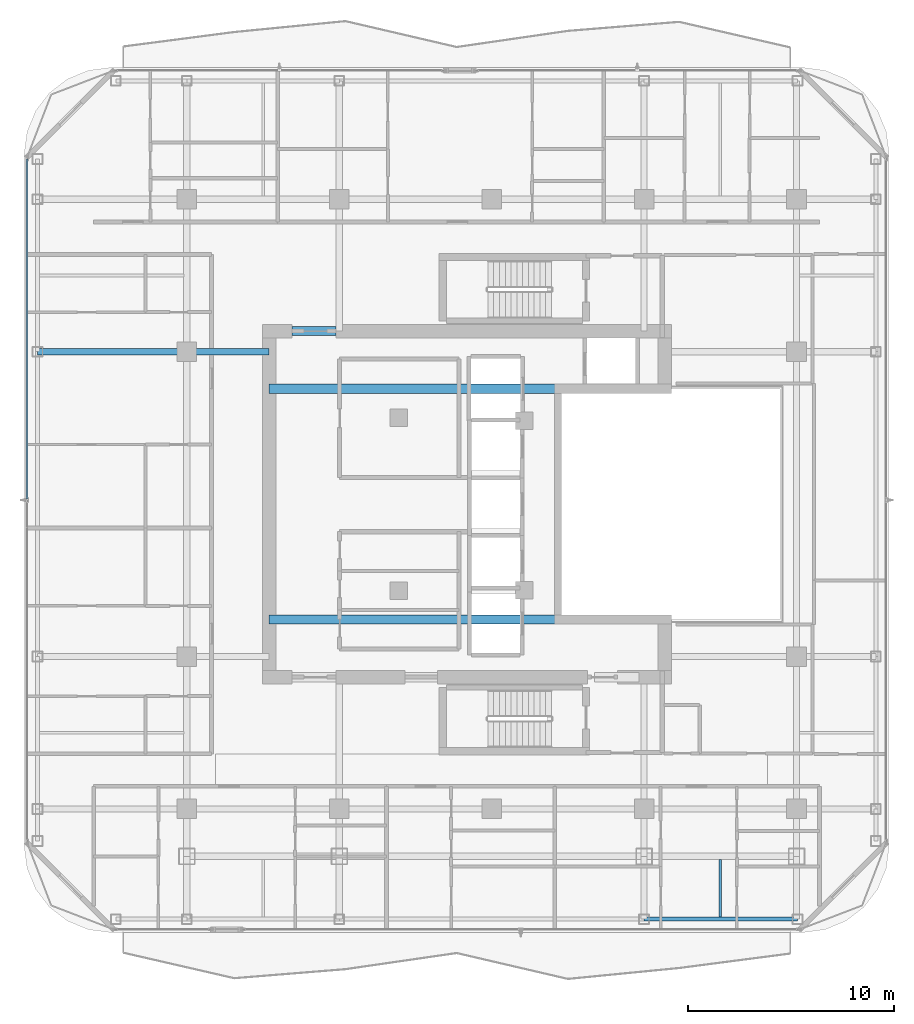
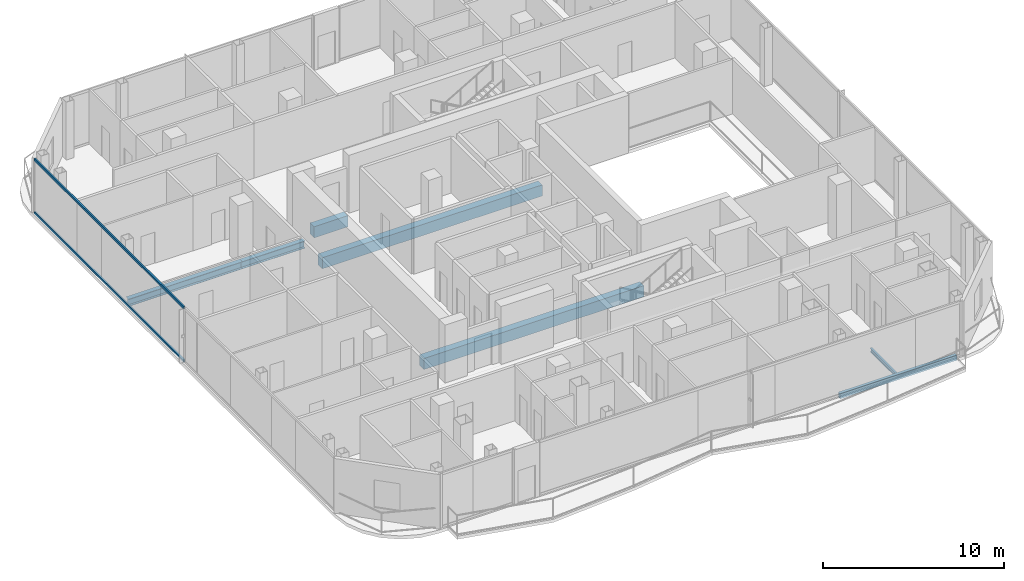
# One storey, part 7 of 26: 7 beams, 2 members, 1 element without a shape of its own.
"""IFC4 building model written with IfcOpenShell, lengths in metres."""

from ifc_helpers import new_model, si_unit, direction, frame, origin, origin_2d, place, context, subcontext, project, spatial, rectangle, hollow_rectangle, i_section, extrude, material, layer, layer_set, material_profile, profile_set, type_object, element, aggregate, save


model = new_model("IFC4")

# Units and contexts
model_context = context("Model", 3, precision=1e-05, world=origin(), true_north=direction((0.0, 1.0)))
body_context = subcontext(model_context, "Body", "Model", "MODEL_VIEW")
ifc_project = project(units=[si_unit("LENGTHUNIT", "METRE"), si_unit("AREAUNIT", "SQUARE_METRE"), si_unit("VOLUMEUNIT", "CUBIC_METRE"), si_unit("PLANEANGLEUNIT", "RADIAN"), si_unit("MASSUNIT", "GRAM", prefix="KILO")], contexts=[model_context])

# Site, building, storey
site_placement = place(None, origin())
site = spatial("IfcSite", under=ifc_project, at=site_placement, CompositionType="ELEMENT")
building_placement = place(site_placement, origin())
building = spatial("IfcBuilding", under=site, at=building_placement, Name="Khorvyn Point Tower", CompositionType="ELEMENT")
storey_placement = place(building_placement, frame((0.0, 0.0, 289.800048828125)))
storey = spatial("IfcBuildingStorey", under=building, at=storey_placement, Name="L71", CompositionType="ELEMENT", Elevation=289.800048828125)

# Curtain wall, members
ifc_material_1 = material(Name="Anodised aluminium 6063-T6 and laminated Low-E glass", Category="aluminium")
ifc_layer = layer(ifc_material_1, 0.18994140625)
ifc_layer_set = layer_set([ifc_layer], Name="Stick-Built High-Wind Curtain Wall CW-SYS-04")
curtain_wall_type = type_object("IfcCurtainWallType", Name="Stick-Built High-Wind Curtain Wall CW-SYS-04", PredefinedType="NOTDEFINED", material=ifc_layer_set)
curtain_wall_placement = place(storey_placement, origin())
curtain_wall = element("IfcCurtainWall", 1, at=curtain_wall_placement, inside=storey, type_object=curtain_wall_type, Name="Curtain Wall", PredefinedType="NOTDEFINED")
ifc_material_2 = material(Name="Anodised aluminium 6063-T6", Category="aluminium")
ifc_material_profile_1 = material_profile(ifc_material_2, hollow_rectangle(XDim=0.10009765625, YDim=0.159912109375, WallThickness=0.00439453125, at=origin_2d()))
ifc_profile_set_1 = profile_set([ifc_material_profile_1], Name="Anodised aluminium 6063-T6 ALU-TRN-100x160")
member_type = type_object("IfcMemberType", Name="Anodised Aluminium 6063-T6 Transom ALU-TRN-100x160", PredefinedType="USERDEFINED", material=ifc_profile_set_1)
member_1_placement = place(storey_placement, frame((-22.550048828125, 0.25, 0.050048828125), z_axis=(0.0, 1.0, 0.0), x_axis=(-1.0, 0.0, 0.0)))
member_1 = element("IfcMember", 2, at=member_1_placement, type_object=member_type, Name="Transom", ObjectType="TRANSOM", PredefinedType="USERDEFINED", context=body_context, shape_type="SweptSolid", body=[
    extrude(hollow_rectangle(XDim=0.10009765625, YDim=0.159912109375, WallThickness=0.00439453125, at=origin_2d()), origin(), (0.0, 0.0, 1.0), 16.5),
])
member_2_placement = place(storey_placement, frame((-22.550048828125, 0.25, 3.6298828125), z_axis=(0.0, 1.0, 0.0), x_axis=(-1.0, 0.0, 0.0)))
member_2 = element("IfcMember", 3, at=member_2_placement, type_object=member_type, Name="Transom", ObjectType="TRANSOM", PredefinedType="USERDEFINED", context=body_context, shape_type="SweptSolid", body=[
    extrude(hollow_rectangle(XDim=0.10009765625, YDim=0.159912109375, WallThickness=0.00439453125, at=origin_2d()), origin(), (0.0, 0.0, 1.0), 16.5),
])
aggregate(curtain_wall, [member_1, member_2])

# Beams
ifc_material_3 = material(Name="Concrete C40/50", Category="concrete")
ifc_material_profile_2 = material_profile(ifc_material_3, rectangle(XDim=0.449951171875, YDim=0.75, at=origin_2d()))
ifc_profile_set_2 = profile_set([ifc_material_profile_2], Name="Concrete C40/50 RC450x750")
beam_type_1 = type_object("IfcBeamType", Name="Concrete C40/50 Beam RC450x750", PredefinedType="BEAM", material=ifc_profile_set_2)
for number, where, z_axis, x_axis, name in (
    (4, (-10.800048828125, -5.60009765625, -0.594970703125), (1.0, 0.0, 0.0), (0.0, 1.0, 0.0), "L71 Core Internal Tie Girder S"),
    (5, (-10.800048828125, 5.60009765625, -0.594970703125), (1.0, 0.0, 0.0), (0.0, 1.0, 0.0), "L71 Core Internal Tie Girder N"),
):
    element("IfcBeam", number, at=place(storey_placement, frame(where, z_axis=z_axis, x_axis=x_axis)), inside=storey, type_object=beam_type_1, Name=name, PredefinedType="BEAM", context=body_context, shape_type="SweptSolid", body=[
        extrude(rectangle(XDim=0.449951171875, YDim=0.75, at=origin_2d()), origin(), (0.0, 0.0, 1.0), 14.02001953125),
    ])
beam_1_placement = place(storey_placement, frame((-9.699951171875, 8.39990234375, -0.594970703125), z_axis=(1.0, 0.0, 0.0), x_axis=(0.0, 1.0, 0.0)))
element("IfcBeam", 6, at=beam_1_placement, inside=storey, type_object=beam_type_1, Name="L71 Core Northwest Portal Coupling Beam", PredefinedType="BEAM", context=body_context, shape_type="SweptSolid", body=[
    extrude(rectangle(XDim=0.449951171875, YDim=0.75, at=origin_2d()), origin(), (0.0, 0.0, 1.0), 2.14990234375),
])
ifc_material_4 = material(Name="Steel S355", Category="steel")
ifc_material_profile_3 = material_profile(ifc_material_4, i_section(OverallWidth=0.125, OverallDepth=0.25, WebThickness=0.006103515625, FlangeThickness=0.009033203125, at=origin_2d()))
ifc_profile_set_3 = profile_set([ifc_material_profile_3], Name="Steel S355 H250x125x6x9")
beam_type_2 = type_object("IfcBeamType", Name="Steel S355 Joist H250x125x6x9", PredefinedType="JOIST", material=ifc_profile_set_3)
beam_2_placement = place(storey_placement, frame((11.10009765625, -20.050048828125, -0.344970703125), z_axis=(0.0, 1.0, 0.0), x_axis=(-1.0, 0.0, 0.0)))
element("IfcBeam", 7, at=beam_2_placement, inside=storey, type_object=beam_type_2, Name="Beam", PredefinedType="JOIST", context=body_context, shape_type="SweptSolid", body=[
    extrude(i_section(OverallWidth=0.125, OverallDepth=0.25, WebThickness=0.006103515625, FlangeThickness=0.009033203125, at=origin_2d()), origin(), (0.0, 0.0, 1.0), 2.800048828125),
])
ifc_material_profile_4 = material_profile(ifc_material_4, i_section(OverallWidth=0.300048828125, OverallDepth=0.488037109375, WebThickness=0.010986328125, FlangeThickness=0.01806640625, at=origin_2d()))
ifc_profile_set_4 = profile_set([ifc_material_profile_4], Name="Steel S355 H488x300x11x18")
beam_type_3 = type_object("IfcBeamType", Name="Steel S355 Spandrel H488x300x11x18", PredefinedType="SPANDREL", material=ifc_profile_set_4)
beam_3_placement = place(storey_placement, frame((-22.050048828125, 7.39990234375, -0.464111328125), z_axis=(1.0, 0.0, 0.0), x_axis=(0.0, 1.0, 0.0)))
element("IfcBeam", 8, at=beam_3_placement, inside=storey, type_object=beam_type_3, Name="Beam", PredefinedType="SPANDREL", context=body_context, shape_type="SweptSolid", body=[
    extrude(i_section(OverallWidth=0.300048828125, OverallDepth=0.488037109375, WebThickness=0.010986328125, FlangeThickness=0.01806640625, at=origin_2d()), origin(), (0.0, 0.0, 1.0), 7.25),
])
beam_4_placement = place(storey_placement, frame((-14.800048828125, 7.39990234375, -0.464111328125), z_axis=(1.0, 0.0, 0.0), x_axis=(0.0, 1.0, 0.0)))
element("IfcBeam", 9, at=beam_4_placement, inside=storey, type_object=beam_type_3, Name="Beam", PredefinedType="SPANDREL", context=body_context, shape_type="SweptSolid", body=[
    extrude(i_section(OverallWidth=0.300048828125, OverallDepth=0.488037109375, WebThickness=0.010986328125, FlangeThickness=0.01806640625, at=origin_2d()), origin(), (0.0, 0.0, 1.0), 4.0),
])
ifc_material_profile_5 = material_profile(ifc_material_4, hollow_rectangle(XDim=0.199951171875, YDim=0.35009765625, WallThickness=0.013916015625, at=origin_2d()))
ifc_profile_set_5 = profile_set([ifc_material_profile_5], Name="Steel S355 RHS350x200x14")
beam_type_4 = type_object("IfcBeamType", Name="Steel S355 Spandrel RHS350x200x14", PredefinedType="SPANDREL", material=ifc_profile_set_5)
beam_5_placement = place(storey_placement, frame((7.39990234375, -20.14990234375, -0.39501953125), z_axis=(1.0, 0.0, 0.0), x_axis=(0.0, 1.0, 0.0)))
element("IfcBeam", 10, at=beam_5_placement, inside=storey, type_object=beam_type_4, Name="Beam", PredefinedType="SPANDREL", context=body_context, shape_type="SweptSolid", body=[
    extrude(hollow_rectangle(XDim=0.199951171875, YDim=0.35009765625, WallThickness=0.013916015625, at=origin_2d()), origin(), (0.0, 0.0, 1.0), 7.4501953125),
])

save(model, "model.ifc")
